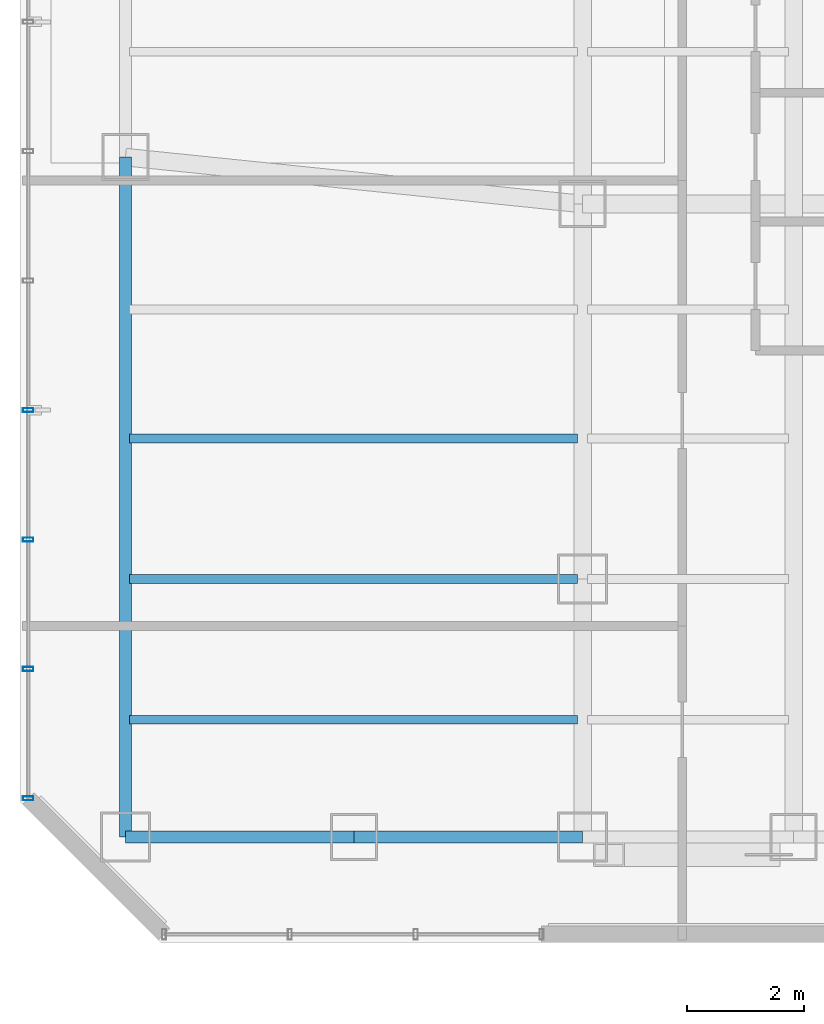
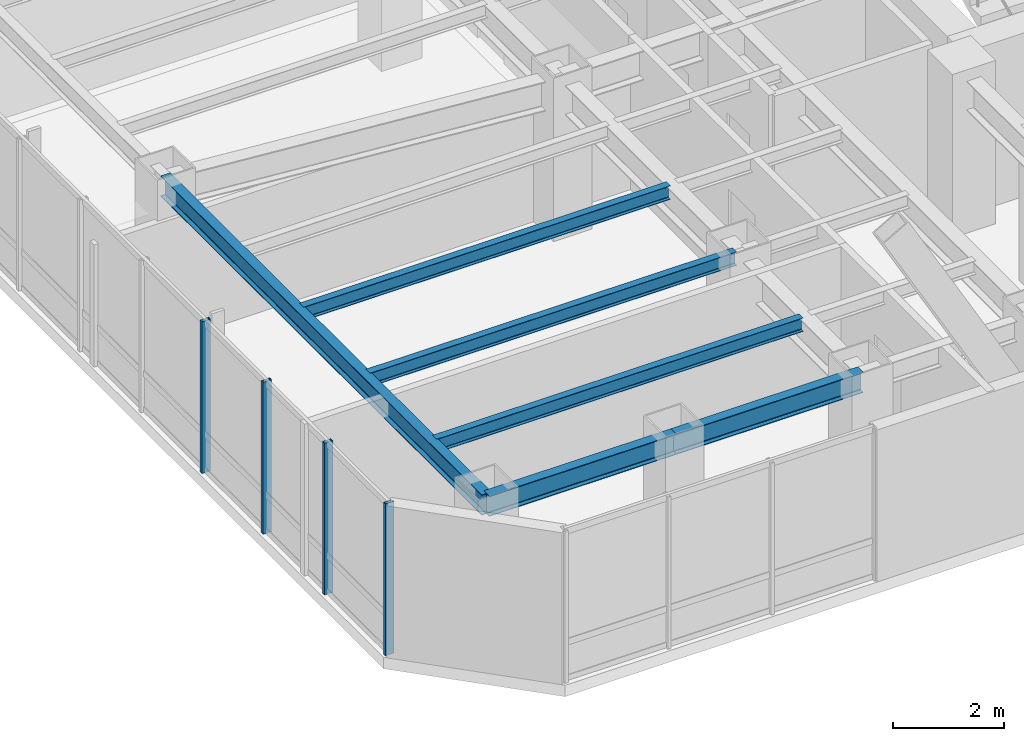
# One storey, part 4 of 28: 6 beams, 4 members, 1 element without a shape of its own.
"""IFC4 building model written with IfcOpenShell, lengths in metres."""

from ifc_helpers import new_model, si_unit, direction, frame, origin, origin_2d, place, context, subcontext, project, spatial, hollow_rectangle, i_section, extrude, material, layer, layer_set, material_profile, profile_set, type_object, element, aggregate, save


model = new_model("IFC4")

# Units and contexts
model_context = context("Model", 3, precision=1e-05, world=origin(), true_north=direction((0.0, 1.0)))
body_context = subcontext(model_context, "Body", "Model", "MODEL_VIEW")
ifc_project = project(units=[si_unit("LENGTHUNIT", "METRE"), si_unit("AREAUNIT", "SQUARE_METRE"), si_unit("VOLUMEUNIT", "CUBIC_METRE"), si_unit("PLANEANGLEUNIT", "RADIAN"), si_unit("MASSUNIT", "GRAM", prefix="KILO")], contexts=[model_context])

# Site, building, storey
site_placement = place(None, origin())
site = spatial("IfcSite", under=ifc_project, at=site_placement, CompositionType="ELEMENT")
building_placement = place(site_placement, origin())
building = spatial("IfcBuilding", under=site, at=building_placement, Name="Hatsunagi Terrace Concourse", CompositionType="ELEMENT")
storey_placement = place(building_placement, frame((0.0, 0.0, 160.050048828125)))
storey = spatial("IfcBuildingStorey", under=building, at=storey_placement, Name="L42", CompositionType="ELEMENT", Elevation=160.050048828125)

# Curtain wall, members
ifc_material_1 = material(Name="Anodised Aluminium Alloy 6063-T5", Category="aluminium")
ifc_layer = layer(ifc_material_1, 0.199951171875)
ifc_layer_set = layer_set([ifc_layer], Name="OfficeZone1_CW03")
curtain_wall_type = type_object("IfcCurtainWallType", Name="OfficeZone1_CW03", PredefinedType="NOTDEFINED", material=ifc_layer_set)
curtain_wall_placement = place(storey_placement, origin())
curtain_wall = element("IfcCurtainWall", 1, at=curtain_wall_placement, inside=storey, type_object=curtain_wall_type, Name="Unitised Curtain Wall CW-03 CW-L42-09", PredefinedType="NOTDEFINED")
ifc_material_2 = material(Name="Anodised Aluminium Alloy 6063-T5", Category="aluminium")
ifc_material_profile_1 = material_profile(ifc_material_2, hollow_rectangle(XDim=0.070068359375, YDim=0.179931640625, WallThickness=0.00390625, at=origin_2d()), Name="ALU-MUL-180x70x4")
ifc_profile_set_1 = profile_set([ifc_material_profile_1], Name="Anodised Aluminium Alloy 6063-T5")
member_type = type_object("IfcMemberType", Name="CurtainWallMullion_180x70", PredefinedType="MULLION", material=ifc_profile_set_1)
member_1_placement = place(storey_placement, frame((9.739990234375, 25.85791015625, 0.0), z_axis=(0.0, 0.0, 1.0), x_axis=(0.0, 1.0, 0.0)))
member_1 = element("IfcMember", 2, at=member_1_placement, type_object=member_type, Name="Curtain Wall Mullion MUL-02", PredefinedType="MULLION", context=body_context, shape_type="SweptSolid", body=[
    extrude(hollow_rectangle(XDim=0.070068359375, YDim=0.179931640625, WallThickness=0.00390625, at=origin_2d()), origin(), (0.0, 0.0, 1.0), 3.349853515625),
])
member_2_placement = place(storey_placement, frame((9.739990234375, 28.06591796875, 0.0), z_axis=(0.0, 0.0, 1.0), x_axis=(0.0, 1.0, 0.0)))
member_2 = element("IfcMember", 3, at=member_2_placement, type_object=member_type, Name="Curtain Wall Mullion MUL-02", PredefinedType="MULLION", context=body_context, shape_type="SweptSolid", body=[
    extrude(hollow_rectangle(XDim=0.070068359375, YDim=0.179931640625, WallThickness=0.00390625, at=origin_2d()), origin(), (0.0, 0.0, 1.0), 3.349853515625),
])
member_3_placement = place(storey_placement, frame((9.739990234375, 30.27490234375, 0.0), z_axis=(0.0, 0.0, 1.0), x_axis=(0.0, 1.0, 0.0)))
member_3 = element("IfcMember", 4, at=member_3_placement, type_object=member_type, Name="Curtain Wall Mullion MUL-02", PredefinedType="MULLION", context=body_context, shape_type="SweptSolid", body=[
    extrude(hollow_rectangle(XDim=0.070068359375, YDim=0.179931640625, WallThickness=0.00390625, at=origin_2d()), origin(), (0.0, 0.0, 1.0), 3.349853515625),
])
member_4_placement = place(storey_placement, frame((9.739990234375, 32.48291015625, 0.0), z_axis=(0.0, 0.0, 1.0), x_axis=(0.0, 1.0, 0.0)))
member_4 = element("IfcMember", 5, at=member_4_placement, type_object=member_type, Name="Curtain Wall Mullion MUL-02", PredefinedType="MULLION", context=body_context, shape_type="SweptSolid", body=[
    extrude(hollow_rectangle(XDim=0.070068359375, YDim=0.179931640625, WallThickness=0.00390625, at=origin_2d()), origin(), (0.0, 0.0, 1.0), 3.349853515625),
])
aggregate(curtain_wall, [member_1, member_2, member_3, member_4])

# Beams
ifc_material_3 = material(Name="Steel SN490B", Category="steel")
ifc_material_profile_2 = material_profile(ifc_material_3, i_section(OverallWidth=0.14990234375, OverallDepth=0.300048828125, WebThickness=0.006591796875, FlangeThickness=0.009033203125, FilletRadius=0.010986328125, at=origin_2d()), Name="H-300x150x6.5x9")
ifc_profile_set_2 = profile_set([ifc_material_profile_2], Name="Steel SN490B")
beam_type_1 = type_object("IfcBeamType", Name="OfficeJoist_H_300x150", PredefinedType="JOIST", material=ifc_profile_set_2)
for number, where, z_axis, x_axis, name in (
    (6, (11.465087890625, 27.199951171875, 3.199951171875), (1.0, 0.0, 0.0), (0.0, 1.0, 0.0), "Beam J-03 J-L42-W-11-272"),
    (7, (11.465087890625, 29.60009765625, 3.199951171875), (1.0, 0.0, 0.0), (0.0, 1.0, 0.0), "Beam J-03 J-L42-W-11-296"),
    (8, (11.465087890625, 32.0, 3.199951171875), (1.0, 0.0, 0.0), (0.0, 1.0, 0.0), "Beam J-03 J-L42-W-11-320"),
):
    element("IfcBeam", number, at=place(storey_placement, frame(where, z_axis=z_axis, x_axis=x_axis)), inside=storey, type_object=beam_type_1, Name=name, PredefinedType="JOIST", context=body_context, shape_type="SweptSolid", body=[
        extrude(i_section(OverallWidth=0.14990234375, OverallDepth=0.300048828125, WebThickness=0.006591796875, FlangeThickness=0.009033203125, FilletRadius=0.010986328125, at=origin_2d()), origin(), (0.0, 0.0, 1.0), 7.64990234375),
    ])
ifc_material_4 = material(Name="Steel SN490B", Category="steel")
ifc_material_profile_3 = material_profile(ifc_material_4, i_section(OverallWidth=0.199951171875, OverallDepth=0.449951171875, WebThickness=0.009033203125, FlangeThickness=0.013916015625, FilletRadius=0.01611328125, at=origin_2d()), Name="H-450x200x9x14")
ifc_profile_set_3 = profile_set([ifc_material_profile_3], Name="Steel SN490B")
beam_type_2 = type_object("IfcBeamType", Name="PerimeterSpandrel_H_450x200", PredefinedType="SPANDREL", material=ifc_profile_set_3)
beam_1_placement = place(storey_placement, frame((11.39990234375, 25.199951171875, 3.125), z_axis=(1.0, 0.0, 0.0), x_axis=(0.0, 1.0, 0.0)))
element("IfcBeam", 9, at=beam_1_placement, inside=storey, type_object=beam_type_2, Name="Beam SP-02 BM-L42-WS-11", PredefinedType="SPANDREL", context=body_context, shape_type="SweptSolid", body=[
    extrude(i_section(OverallWidth=0.199951171875, OverallDepth=0.449951171875, WebThickness=0.009033203125, FlangeThickness=0.013916015625, FilletRadius=0.01611328125, at=origin_2d()), origin(), (0.0, 0.0, 1.0), 3.900146484375),
])
beam_2_placement = place(storey_placement, frame((15.300048828125, 25.199951171875, 3.125), z_axis=(1.0, 0.0, 0.0), x_axis=(0.0, 1.0, 0.0)))
element("IfcBeam", 10, at=beam_2_placement, inside=storey, type_object=beam_type_2, Name="Beam SP-02 BM-L42-WS-15", PredefinedType="SPANDREL", context=body_context, shape_type="SweptSolid", body=[
    extrude(i_section(OverallWidth=0.199951171875, OverallDepth=0.449951171875, WebThickness=0.009033203125, FlangeThickness=0.013916015625, FilletRadius=0.01611328125, at=origin_2d()), origin(), (0.0, 0.0, 1.0), 3.89990234375),
])
beam_3_placement = place(storey_placement, frame((11.39990234375, 25.199951171875, 3.125), z_axis=(0.0, 1.0, 0.0), x_axis=(-1.0, 0.0, 0.0)))
element("IfcBeam", 11, at=beam_3_placement, inside=storey, type_object=beam_type_2, Name="Beam SP-02 BM-L42-NS-11-25", PredefinedType="SPANDREL", context=body_context, shape_type="SweptSolid", body=[
    extrude(i_section(OverallWidth=0.199951171875, OverallDepth=0.449951171875, WebThickness=0.009033203125, FlangeThickness=0.013916015625, FilletRadius=0.01611328125, at=origin_2d()), origin(), (0.0, 0.0, 1.0), 11.60009765625),
])

save(model, "model.ifc")
